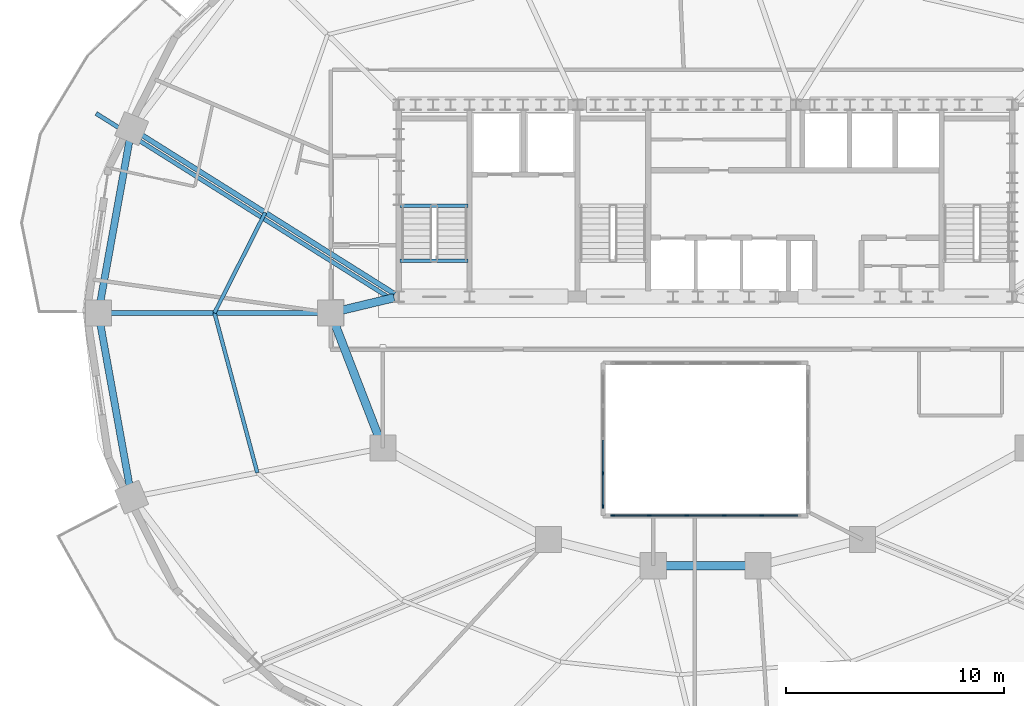
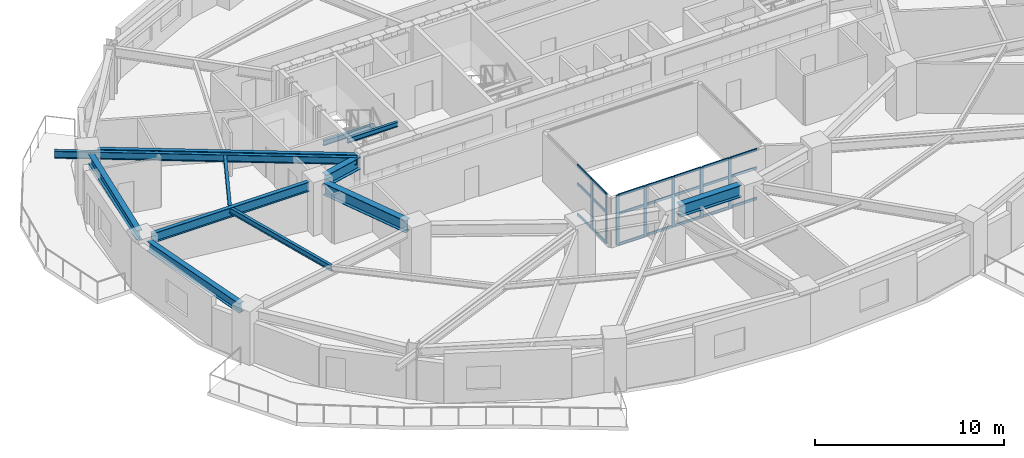
# One storey, part 2 of 13: 28 members, 12 beams, 2 elements without a shape of their own.
"""IFC4 building model written with IfcOpenShell, lengths in metres."""

from ifc_helpers import new_model, si_unit, direction, frame, origin, origin_2d, place, context, subcontext, project, spatial, rectangle, i_section, extrude, material, material_profile, profile_set, type_object, element, aggregate, save


model = new_model("IFC4")

# Units and contexts
model_context = context("Model", 3, precision=1e-05, world=origin(), true_north=direction((0.0, 1.0)))
body_context = subcontext(model_context, "Body", "Model", "MODEL_VIEW")
ifc_project = project(units=[si_unit("LENGTHUNIT", "METRE"), si_unit("AREAUNIT", "SQUARE_METRE"), si_unit("VOLUMEUNIT", "CUBIC_METRE"), si_unit("PLANEANGLEUNIT", "RADIAN"), si_unit("MASSUNIT", "GRAM", prefix="KILO")], contexts=[model_context])

# Site, building, storey
site_placement = place(None, origin())
site = spatial("IfcSite", under=ifc_project, at=site_placement, CompositionType="ELEMENT")
building_placement = place(site_placement, origin())
building = spatial("IfcBuilding", under=site, at=building_placement, Name="Haldorwick Loom Tower", CompositionType="ELEMENT")
storey_placement = place(building_placement, frame((0.0, 0.0, 124.25)))
storey = spatial("IfcBuildingStorey", under=building, at=storey_placement, Name="L33", CompositionType="ELEMENT", Elevation=124.25)

# Curtain wall, members
ifc_material_1 = material(Name="Thermally Broken Anodized Aluminium Curtain Wall Framing", Category="aluminium")
curtain_wall_type = type_object("IfcCurtainWallType", Name="ARC-CW-03", PredefinedType="NOTDEFINED", material=ifc_material_1)
curtain_wall_1_placement = place(storey_placement, origin())
curtain_wall_1 = element("IfcCurtainWall", 1, at=curtain_wall_1_placement, inside=storey, type_object=curtain_wall_type, Name="L33 Atrium Glazed Screen S", PredefinedType="NOTDEFINED")
ifc_material_profile_1 = material_profile(ifc_material_1, rectangle(XDim=0.06591796875, YDim=0.18505859375, at=origin_2d()), Name="ALU_MUL_66X185", Category="aluminium")
ifc_profile_set_1 = profile_set([ifc_material_profile_1], Name="Thermally Broken Anodized Aluminium Curtain Wall Framing")
member_type_1 = type_object("IfcMemberType", Name="ARC-CWM-03", PredefinedType="MULLION", material=ifc_profile_set_1)
member_1_placement = place(storey_placement, frame((38.580078125, 16.699951171875, 0.0), z_axis=(0.0, 0.0, 1.0), x_axis=(0.0, -1.0, 0.0)))
member_1 = element("IfcMember", 2, at=member_1_placement, type_object=member_type_1, Name="CW-03 mullion 2", PredefinedType="MULLION", context=body_context, shape_type="SweptSolid", body=[
    extrude(rectangle(XDim=0.06591796875, YDim=0.18505859375, at=origin_2d()), origin(), (0.0, 0.0, 1.0), 3.2099609375),
])
member_2_placement = place(storey_placement, frame((36.860107421875, 16.699951171875, 0.0), z_axis=(0.0, 0.0, 1.0), x_axis=(0.0, -1.0, 0.0)))
member_2 = element("IfcMember", 3, at=member_2_placement, type_object=member_type_1, Name="CW-03 mullion 3", PredefinedType="MULLION", context=body_context, shape_type="SweptSolid", body=[
    extrude(rectangle(XDim=0.06591796875, YDim=0.18505859375, at=origin_2d()), origin(), (0.0, 0.0, 1.0), 3.2099609375),
])
member_3_placement = place(storey_placement, frame((35.139892578125, 16.699951171875, 0.0), z_axis=(0.0, 0.0, 1.0), x_axis=(0.0, -1.0, 0.0)))
member_3 = element("IfcMember", 4, at=member_3_placement, type_object=member_type_1, Name="CW-03 mullion 4", PredefinedType="MULLION", context=body_context, shape_type="SweptSolid", body=[
    extrude(rectangle(XDim=0.06591796875, YDim=0.18505859375, at=origin_2d()), origin(), (0.0, 0.0, 1.0), 3.2099609375),
])
member_4_placement = place(storey_placement, frame((33.419921875, 16.699951171875, 0.0), z_axis=(0.0, 0.0, 1.0), x_axis=(0.0, -1.0, 0.0)))
member_4 = element("IfcMember", 5, at=member_4_placement, type_object=member_type_1, Name="CW-03 mullion 5", PredefinedType="MULLION", context=body_context, shape_type="SweptSolid", body=[
    extrude(rectangle(XDim=0.06591796875, YDim=0.18505859375, at=origin_2d()), origin(), (0.0, 0.0, 1.0), 3.2099609375),
])
member_5_placement = place(storey_placement, frame((31.73291015625, 16.699951171875, 0.0), z_axis=(0.0, 0.0, 1.0), x_axis=(0.0, -1.0, 0.0)))
member_5 = element("IfcMember", 6, at=member_5_placement, type_object=member_type_1, Name="CW-03 mullion 6", PredefinedType="MULLION", context=body_context, shape_type="SweptSolid", body=[
    extrude(rectangle(XDim=0.06591796875, YDim=0.18505859375, at=origin_2d()), origin(), (0.0, 0.0, 1.0), 3.2099609375),
])

curtain_wall_2_placement = place(storey_placement, origin())
curtain_wall_2 = element("IfcCurtainWall", 7, at=curtain_wall_2_placement, inside=storey, type_object=curtain_wall_type, Name="L33 Atrium Glazed Screen W", PredefinedType="NOTDEFINED")
member_6_placement = place(storey_placement, frame((31.300048828125, 17.133056640625, 0.0), z_axis=(0.0, 0.0, 1.0), x_axis=(-1.0, 0.0, 0.0)))
member_6 = element("IfcMember", 8, at=member_6_placement, type_object=member_type_1, Name="CW-03 mullion 1", PredefinedType="MULLION", context=body_context, shape_type="SweptSolid", body=[
    extrude(rectangle(XDim=0.06591796875, YDim=0.18505859375, at=origin_2d()), origin(), (0.0, 0.0, 1.0), 3.2099609375),
])
member_7_placement = place(storey_placement, frame((31.300048828125, 18.64990234375, 0.0), z_axis=(0.0, 0.0, 1.0), x_axis=(-1.0, 0.0, 0.0)))
member_7 = element("IfcMember", 9, at=member_7_placement, type_object=member_type_1, Name="CW-03 mullion 2", PredefinedType="MULLION", context=body_context, shape_type="SweptSolid", body=[
    extrude(rectangle(XDim=0.06591796875, YDim=0.18505859375, at=origin_2d()), origin(), (0.0, 0.0, 1.0), 3.2099609375),
])

# Member
ifc_material_profile_2 = material_profile(ifc_material_1, rectangle(XDim=0.06591796875, YDim=0.1650390625, at=origin_2d()), Name="ALU_TRN_66X165", Category="aluminium")
ifc_profile_set_2 = profile_set([ifc_material_profile_2], Name="Thermally Broken Anodized Aluminium Curtain Wall Framing")
member_type_2 = type_object("IfcMemberType", Name="ARC-CWT-03", PredefinedType="USERDEFINED", material=ifc_profile_set_2)
member_8_placement = place(storey_placement, frame((40.23388671875, 16.699951171875, 0.032958984375), z_axis=(-1.0, 0.0, 0.0), x_axis=(0.0, -1.0, 0.0)))
member_8 = element("IfcMember", 10, at=member_8_placement, type_object=member_type_2, Name="CW-03 transom 1.1", ObjectType="TRANSOM", PredefinedType="USERDEFINED", context=body_context, shape_type="SweptSolid", body=[
    extrude(rectangle(XDim=0.06591796875, YDim=0.1650390625, at=origin_2d()), origin(), (0.0, 0.0, 1.0), 1.620849609375),
])

member_9_placement = place(storey_placement, frame((40.23388671875, 16.699951171875, 2.0), z_axis=(-1.0, 0.0, 0.0), x_axis=(0.0, -1.0, 0.0)))
member_9 = element("IfcMember", 11, at=member_9_placement, type_object=member_type_2, Name="CW-03 transom 1.2", ObjectType="TRANSOM", PredefinedType="USERDEFINED", context=body_context, shape_type="SweptSolid", body=[
    extrude(rectangle(XDim=0.06591796875, YDim=0.1650390625, at=origin_2d()), origin(), (0.0, 0.0, 1.0), 1.620849609375),
])

member_10_placement = place(storey_placement, frame((40.23388671875, 16.699951171875, 3.177001953125), z_axis=(-1.0, 0.0, 0.0), x_axis=(0.0, -1.0, 0.0)))
member_10 = element("IfcMember", 12, at=member_10_placement, type_object=member_type_2, Name="CW-03 transom 1.3", ObjectType="TRANSOM", PredefinedType="USERDEFINED", context=body_context, shape_type="SweptSolid", body=[
    extrude(rectangle(XDim=0.06591796875, YDim=0.1650390625, at=origin_2d()), origin(), (0.0, 0.0, 1.0), 1.620849609375),
])

member_11_placement = place(storey_placement, frame((38.547119140625, 16.699951171875, 0.032958984375), z_axis=(-1.0, 0.0, 0.0), x_axis=(0.0, -1.0, 0.0)))
member_11 = element("IfcMember", 13, at=member_11_placement, type_object=member_type_2, Name="CW-03 transom 2.1", ObjectType="TRANSOM", PredefinedType="USERDEFINED", context=body_context, shape_type="SweptSolid", body=[
    extrude(rectangle(XDim=0.06591796875, YDim=0.1650390625, at=origin_2d()), origin(), (0.0, 0.0, 1.0), 1.654052734375),
])

member_12_placement = place(storey_placement, frame((38.547119140625, 16.699951171875, 2.0), z_axis=(-1.0, 0.0, 0.0), x_axis=(0.0, -1.0, 0.0)))
member_12 = element("IfcMember", 14, at=member_12_placement, type_object=member_type_2, Name="CW-03 transom 2.2", ObjectType="TRANSOM", PredefinedType="USERDEFINED", context=body_context, shape_type="SweptSolid", body=[
    extrude(rectangle(XDim=0.06591796875, YDim=0.1650390625, at=origin_2d()), origin(), (0.0, 0.0, 1.0), 1.654052734375),
])

member_13_placement = place(storey_placement, frame((38.547119140625, 16.699951171875, 3.177001953125), z_axis=(-1.0, 0.0, 0.0), x_axis=(0.0, -1.0, 0.0)))
member_13 = element("IfcMember", 15, at=member_13_placement, type_object=member_type_2, Name="CW-03 transom 2.3", ObjectType="TRANSOM", PredefinedType="USERDEFINED", context=body_context, shape_type="SweptSolid", body=[
    extrude(rectangle(XDim=0.06591796875, YDim=0.1650390625, at=origin_2d()), origin(), (0.0, 0.0, 1.0), 1.654052734375),
])

member_14_placement = place(storey_placement, frame((36.826904296875, 16.699951171875, 0.032958984375), z_axis=(-1.0, 0.0, 0.0), x_axis=(0.0, -1.0, 0.0)))
member_14 = element("IfcMember", 16, at=member_14_placement, type_object=member_type_2, Name="CW-03 transom 3.1", ObjectType="TRANSOM", PredefinedType="USERDEFINED", context=body_context, shape_type="SweptSolid", body=[
    extrude(rectangle(XDim=0.06591796875, YDim=0.1650390625, at=origin_2d()), origin(), (0.0, 0.0, 1.0), 1.65380859375),
])

member_15_placement = place(storey_placement, frame((36.826904296875, 16.699951171875, 2.0), z_axis=(-1.0, 0.0, 0.0), x_axis=(0.0, -1.0, 0.0)))
member_15 = element("IfcMember", 17, at=member_15_placement, type_object=member_type_2, Name="CW-03 transom 3.2", ObjectType="TRANSOM", PredefinedType="USERDEFINED", context=body_context, shape_type="SweptSolid", body=[
    extrude(rectangle(XDim=0.06591796875, YDim=0.1650390625, at=origin_2d()), origin(), (0.0, 0.0, 1.0), 1.65380859375),
])

member_16_placement = place(storey_placement, frame((36.826904296875, 16.699951171875, 3.177001953125), z_axis=(-1.0, 0.0, 0.0), x_axis=(0.0, -1.0, 0.0)))
member_16 = element("IfcMember", 18, at=member_16_placement, type_object=member_type_2, Name="CW-03 transom 3.3", ObjectType="TRANSOM", PredefinedType="USERDEFINED", context=body_context, shape_type="SweptSolid", body=[
    extrude(rectangle(XDim=0.06591796875, YDim=0.1650390625, at=origin_2d()), origin(), (0.0, 0.0, 1.0), 1.65380859375),
])

member_17_placement = place(storey_placement, frame((35.10693359375, 16.699951171875, 0.032958984375), z_axis=(-1.0, 0.0, 0.0), x_axis=(0.0, -1.0, 0.0)))
member_17 = element("IfcMember", 19, at=member_17_placement, type_object=member_type_2, Name="CW-03 transom 4.1", ObjectType="TRANSOM", PredefinedType="USERDEFINED", context=body_context, shape_type="SweptSolid", body=[
    extrude(rectangle(XDim=0.06591796875, YDim=0.1650390625, at=origin_2d()), origin(), (0.0, 0.0, 1.0), 1.654052734375),
])

member_18_placement = place(storey_placement, frame((35.10693359375, 16.699951171875, 2.0), z_axis=(-1.0, 0.0, 0.0), x_axis=(0.0, -1.0, 0.0)))
member_18 = element("IfcMember", 20, at=member_18_placement, type_object=member_type_2, Name="CW-03 transom 4.2", ObjectType="TRANSOM", PredefinedType="USERDEFINED", context=body_context, shape_type="SweptSolid", body=[
    extrude(rectangle(XDim=0.06591796875, YDim=0.1650390625, at=origin_2d()), origin(), (0.0, 0.0, 1.0), 1.654052734375),
])

member_19_placement = place(storey_placement, frame((35.10693359375, 16.699951171875, 3.177001953125), z_axis=(-1.0, 0.0, 0.0), x_axis=(0.0, -1.0, 0.0)))
member_19 = element("IfcMember", 21, at=member_19_placement, type_object=member_type_2, Name="CW-03 transom 4.3", ObjectType="TRANSOM", PredefinedType="USERDEFINED", context=body_context, shape_type="SweptSolid", body=[
    extrude(rectangle(XDim=0.06591796875, YDim=0.1650390625, at=origin_2d()), origin(), (0.0, 0.0, 1.0), 1.654052734375),
])

member_20_placement = place(storey_placement, frame((33.386962890625, 16.699951171875, 0.032958984375), z_axis=(-1.0, 0.0, 0.0), x_axis=(0.0, -1.0, 0.0)))
member_20 = element("IfcMember", 22, at=member_20_placement, type_object=member_type_2, Name="CW-03 transom 5.1", ObjectType="TRANSOM", PredefinedType="USERDEFINED", context=body_context, shape_type="SweptSolid", body=[
    extrude(rectangle(XDim=0.06591796875, YDim=0.1650390625, at=origin_2d()), origin(), (0.0, 0.0, 1.0), 1.620849609375),
])

member_21_placement = place(storey_placement, frame((33.386962890625, 16.699951171875, 2.0), z_axis=(-1.0, 0.0, 0.0), x_axis=(0.0, -1.0, 0.0)))
member_21 = element("IfcMember", 23, at=member_21_placement, type_object=member_type_2, Name="CW-03 transom 5.2", ObjectType="TRANSOM", PredefinedType="USERDEFINED", context=body_context, shape_type="SweptSolid", body=[
    extrude(rectangle(XDim=0.06591796875, YDim=0.1650390625, at=origin_2d()), origin(), (0.0, 0.0, 1.0), 1.620849609375),
])

member_22_placement = place(storey_placement, frame((33.386962890625, 16.699951171875, 3.177001953125), z_axis=(-1.0, 0.0, 0.0), x_axis=(0.0, -1.0, 0.0)))
member_22 = element("IfcMember", 24, at=member_22_placement, type_object=member_type_2, Name="CW-03 transom 5.3", ObjectType="TRANSOM", PredefinedType="USERDEFINED", context=body_context, shape_type="SweptSolid", body=[
    extrude(rectangle(XDim=0.06591796875, YDim=0.1650390625, at=origin_2d()), origin(), (0.0, 0.0, 1.0), 1.620849609375),
])

aggregate(curtain_wall_1, [member_1, member_2, member_3, member_4, member_5, member_8, member_9, member_10, member_11, member_12, member_13, member_14, member_15, member_16, member_17, member_18, member_19, member_20, member_21, member_22])

member_23_placement = place(storey_placement, frame((31.300048828125, 17.166015625, 0.032958984375), z_axis=(0.0, 1.0, 0.0), x_axis=(-1.0, 0.0, 0.0)))
member_23 = element("IfcMember", 25, at=member_23_placement, type_object=member_type_2, Name="CW-03 transom 1.1", ObjectType="TRANSOM", PredefinedType="USERDEFINED", context=body_context, shape_type="SweptSolid", body=[
    extrude(rectangle(XDim=0.06591796875, YDim=0.1650390625, at=origin_2d()), origin(), (0.0, 0.0, 1.0), 1.450927734375),
])

member_24_placement = place(storey_placement, frame((31.300048828125, 17.166015625, 2.0), z_axis=(0.0, 1.0, 0.0), x_axis=(-1.0, 0.0, 0.0)))
member_24 = element("IfcMember", 26, at=member_24_placement, type_object=member_type_2, Name="CW-03 transom 1.2", ObjectType="TRANSOM", PredefinedType="USERDEFINED", context=body_context, shape_type="SweptSolid", body=[
    extrude(rectangle(XDim=0.06591796875, YDim=0.1650390625, at=origin_2d()), origin(), (0.0, 0.0, 1.0), 1.450927734375),
])

member_25_placement = place(storey_placement, frame((31.300048828125, 17.166015625, 3.177001953125), z_axis=(0.0, 1.0, 0.0), x_axis=(-1.0, 0.0, 0.0)))
member_25 = element("IfcMember", 27, at=member_25_placement, type_object=member_type_2, Name="CW-03 transom 1.3", ObjectType="TRANSOM", PredefinedType="USERDEFINED", context=body_context, shape_type="SweptSolid", body=[
    extrude(rectangle(XDim=0.06591796875, YDim=0.1650390625, at=origin_2d()), origin(), (0.0, 0.0, 1.0), 1.450927734375),
])

member_26_placement = place(storey_placement, frame((31.300048828125, 18.68310546875, 0.032958984375), z_axis=(0.0, 1.0, 0.0), x_axis=(-1.0, 0.0, 0.0)))
member_26 = element("IfcMember", 28, at=member_26_placement, type_object=member_type_2, Name="CW-03 transom 2.1", ObjectType="TRANSOM", PredefinedType="USERDEFINED", context=body_context, shape_type="SweptSolid", body=[
    extrude(rectangle(XDim=0.06591796875, YDim=0.1650390625, at=origin_2d()), origin(), (0.0, 0.0, 1.0), 1.48388671875),
])

member_27_placement = place(storey_placement, frame((31.300048828125, 18.68310546875, 2.0), z_axis=(0.0, 1.0, 0.0), x_axis=(-1.0, 0.0, 0.0)))
member_27 = element("IfcMember", 29, at=member_27_placement, type_object=member_type_2, Name="CW-03 transom 2.2", ObjectType="TRANSOM", PredefinedType="USERDEFINED", context=body_context, shape_type="SweptSolid", body=[
    extrude(rectangle(XDim=0.06591796875, YDim=0.1650390625, at=origin_2d()), origin(), (0.0, 0.0, 1.0), 1.48388671875),
])

member_28_placement = place(storey_placement, frame((31.300048828125, 18.68310546875, 3.177001953125), z_axis=(0.0, 1.0, 0.0), x_axis=(-1.0, 0.0, 0.0)))
member_28 = element("IfcMember", 30, at=member_28_placement, type_object=member_type_2, Name="CW-03 transom 2.3", ObjectType="TRANSOM", PredefinedType="USERDEFINED", context=body_context, shape_type="SweptSolid", body=[
    extrude(rectangle(XDim=0.06591796875, YDim=0.1650390625, at=origin_2d()), origin(), (0.0, 0.0, 1.0), 1.48388671875),
])

aggregate(curtain_wall_2, [member_6, member_7, member_23, member_24, member_25, member_26, member_27, member_28])

# Beams
ifc_material_2 = material(Name="Steel CSA G40.21 350W", Category="steel")
ifc_material_profile_3 = material_profile(ifc_material_2, i_section(OverallWidth=0.193115234375, OverallDepth=0.466064453125, WebThickness=0.011474609375, FlangeThickness=0.01904296875, at=origin_2d()), Name="W460X97", Category="steel")
ifc_profile_set_3 = profile_set([ifc_material_profile_3], Name="Steel CSA G40.21 350W")
beam_type_1 = type_object("IfcBeamType", Name="STR-BM-BAL460", PredefinedType="BEAM", material=ifc_profile_set_3)
beam_1_placement = place(storey_placement, frame((21.590576171875, 26.6328125, 2.97705078125), z_axis=(-0.846621037802, 0.532196221662, 0.0), x_axis=(-0.532196221662, -0.846621037802, 0.0)))
element("IfcBeam", 31, at=beam_1_placement, inside=storey, type_object=beam_type_1, Name="L33 Continuous Back-Spanned Balcony Beam 3", PredefinedType="BEAM", context=body_context, shape_type="SweptSolid", body=[
    extrude(i_section(OverallWidth=0.193115234375, OverallDepth=0.466064453125, WebThickness=0.011474609375, FlangeThickness=0.01904296875, at=origin_2d()), origin(), (0.0, 0.0, 1.0), 16.0068359375),
])
ifc_material_profile_4 = material_profile(ifc_material_2, i_section(OverallWidth=0.172119140625, OverallDepth=0.35791015625, WebThickness=0.0078125, FlangeThickness=0.01318359375, at=origin_2d()), Name="W360X57", Category="steel")
ifc_profile_set_4 = profile_set([ifc_material_profile_4], Name="Steel CSA G40.21 350W")
beam_type_2 = type_object("IfcBeamType", Name="STR-BM-J360", PredefinedType="JOIST", material=ifc_profile_set_4)
beam_2_placement = place(storey_placement, frame((15.7998046875, 30.603515625, 3.031005859375), z_axis=(-0.451373231558, -0.892335254169, 0.0), x_axis=(0.892335254169, -0.451373231558, 0.0)))
element("IfcBeam", 32, at=beam_2_placement, inside=storey, type_object=beam_type_2, Name="L33 Mid-Bay Secondary Joist 8", PredefinedType="JOIST", context=body_context, shape_type="SweptSolid", body=[
    extrude(i_section(OverallWidth=0.172119140625, OverallDepth=0.35791015625, WebThickness=0.0078125, FlangeThickness=0.01318359375, at=origin_2d()), origin(), (0.0, 0.0, 1.0), 5.158935546875),
])
beam_3_placement = place(storey_placement, frame((13.47119140625, 26.0, 3.031005859375), z_axis=(0.258810072536, -0.965928230436, 0.0), x_axis=(0.965928230436, 0.258810072536, 0.0)))
element("IfcBeam", 33, at=beam_3_placement, inside=storey, type_object=beam_type_2, Name="L33 Mid-Bay Secondary Joist 9", PredefinedType="JOIST", context=body_context, shape_type="SweptSolid", body=[
    extrude(i_section(OverallWidth=0.172119140625, OverallDepth=0.35791015625, WebThickness=0.0078125, FlangeThickness=0.01318359375, at=origin_2d()), origin(), (0.0, 0.0, 1.0), 7.587158203125),
])
ifc_material_profile_5 = material_profile(ifc_material_2, i_section(OverallWidth=0.324951171875, OverallDepth=0.615966796875, WebThickness=0.013916015625, FlangeThickness=0.021484375, at=origin_2d()), Name="W610X174", Category="steel")
ifc_profile_set_5 = profile_set([ifc_material_profile_5], Name="Steel CSA G40.21 350W")
beam_type_3 = type_object("IfcBeamType", Name="STR-BM-SP610", PredefinedType="SPANDREL", material=ifc_profile_set_5)
for number, where, z_axis, x_axis, name in (
    (34, (9.576904296875, 33.945556640625, 2.902099609375), (-0.177659490888, -0.984092020747, 0.0), (0.984092020747, -0.177659490888, 0.0), "L33 Perimeter Spandrel 8"),
    (35, (8.23486328125, 25.48828125, 2.902099609375), (0.177659490888, -0.984092020747, 0.0), (0.984092020747, 0.177659490888, 0.0), "L33 Perimeter Spandrel 9"),
):
    element("IfcBeam", number, at=place(storey_placement, frame(where, z_axis=z_axis, x_axis=x_axis)), inside=storey, type_object=beam_type_3, Name=name, PredefinedType="SPANDREL", context=body_context, shape_type="SweptSolid", body=[
        extrude(i_section(OverallWidth=0.324951171875, OverallDepth=0.615966796875, WebThickness=0.013916015625, FlangeThickness=0.021484375, at=origin_2d()), origin(), (0.0, 0.0, 1.0), 7.553955078125),
    ])
ifc_material_profile_6 = material_profile(ifc_material_2, i_section(OverallWidth=0.166015625, OverallDepth=0.31298828125, WebThickness=0.006591796875, FlangeThickness=0.01123046875, at=origin_2d()), Name="W310X45", Category="steel")
ifc_profile_set_6 = profile_set([ifc_material_profile_6], Name="Steel CSA G40.21 350W")
beam_type_4 = type_object("IfcBeamType", Name="STR-BM-STRM", PredefinedType="BEAM", material=ifc_profile_set_6)
for number, where, z_axis, x_axis, name in (
    (36, (21.989990234375, 28.39990234375, 3.053466796875), (1.0, 0.0, 0.0), (0.0, 1.0, 0.0), "L33 Stair ST-01 Landing Edge Trimmer"),
    (37, (21.989990234375, 30.919921875, 1.368408203125), (1.0, 0.0, 0.0), (0.0, 1.0, 0.0), "L33 Stair ST-01 Half-Landing Trimmer 1"),
):
    element("IfcBeam", number, at=place(storey_placement, frame(where, z_axis=z_axis, x_axis=x_axis)), inside=storey, type_object=beam_type_4, Name=name, PredefinedType="BEAM", context=body_context, shape_type="SweptSolid", body=[
        extrude(i_section(OverallWidth=0.166015625, OverallDepth=0.31298828125, WebThickness=0.006591796875, FlangeThickness=0.01123046875, at=origin_2d()), origin(), (0.0, 0.0, 1.0), 3.1201171875),
    ])
ifc_material_profile_7 = material_profile(ifc_material_2, i_section(OverallWidth=0.22998046875, OverallDepth=0.616943359375, WebThickness=0.01318359375, FlangeThickness=0.022216796875, at=origin_2d()), Name="W610X140", Category="steel")
ifc_profile_set_7 = profile_set([ifc_material_profile_7], Name="Steel CSA G40.21 350W")
beam_type_5 = type_object("IfcBeamType", Name="STR-BM-W610B", PredefinedType="BEAM", material=ifc_profile_set_7)
beam_4_placement = place(storey_placement, frame((21.739501953125, 26.86962890625, 2.901611328125), z_axis=(-0.846609551433, 0.532214493811, 0.0), x_axis=(-0.532214493811, -0.846609551433, 0.0)))
element("IfcBeam", 38, at=beam_4_placement, inside=storey, type_object=beam_type_5, Name="L33 Radial Floor Girder 8", PredefinedType="BEAM", context=body_context, shape_type="SweptSolid", body=[
    extrude(i_section(OverallWidth=0.22998046875, OverallDepth=0.616943359375, WebThickness=0.01318359375, FlangeThickness=0.022216796875, at=origin_2d()), origin(), (0.0, 0.0, 1.0), 13.737060546875),
])
beam_5_placement = place(storey_placement, frame((18.280029296875, 26.0, 2.901611328125), z_axis=(-1.0, 0.0, 0.0), x_axis=(0.0, -1.0, 0.0)))
element("IfcBeam", 39, at=beam_5_placement, inside=storey, type_object=beam_type_5, Name="L33 Radial Floor Girder 9", PredefinedType="BEAM", context=body_context, shape_type="SweptSolid", body=[
    extrude(i_section(OverallWidth=0.22998046875, OverallDepth=0.616943359375, WebThickness=0.01318359375, FlangeThickness=0.022216796875, at=origin_2d()), origin(), (0.0, 0.0, 1.0), 9.61767578125),
])
ifc_material_profile_8 = material_profile(ifc_material_2, i_section(OverallWidth=0.381103515625, OverallDepth=0.77294921875, WebThickness=0.0166015625, FlangeThickness=0.027587890625, at=origin_2d()), Name="W760X257", Category="steel")
ifc_profile_set_8 = profile_set([ifc_material_profile_8], Name="Steel CSA G40.21 350W")
beam_type_6 = type_object("IfcBeamType", Name="STR-BM-W760", PredefinedType="BEAM", material=ifc_profile_set_8)
beam_6_placement = place(storey_placement, frame((37.8798828125, 14.39990234375, 2.823486328125), z_axis=(-1.0, 0.0, 0.0), x_axis=(0.0, -1.0, 0.0)))
element("IfcBeam", 40, at=beam_6_placement, inside=storey, type_object=beam_type_6, Name="L33 Inner Ring Girder 5", PredefinedType="BEAM", context=body_context, shape_type="SweptSolid", body=[
    extrude(i_section(OverallWidth=0.381103515625, OverallDepth=0.77294921875, WebThickness=0.0166015625, FlangeThickness=0.027587890625, at=origin_2d()), origin(), (0.0, 0.0, 1.0), 3.759765625),
])
beam_7_placement = place(storey_placement, frame((21.01220703125, 20.284912109375, 2.823486328125), z_axis=(-0.360964792353, 0.93257944363, 0.0), x_axis=(-0.93257944363, -0.360964792353, 0.0)))
element("IfcBeam", 41, at=beam_7_placement, inside=storey, type_object=beam_type_6, Name="L33 Inner Ring Girder 8", PredefinedType="BEAM", context=body_context, shape_type="SweptSolid", body=[
    extrude(i_section(OverallWidth=0.381103515625, OverallDepth=0.77294921875, WebThickness=0.0166015625, FlangeThickness=0.027587890625, at=origin_2d()), origin(), (0.0, 0.0, 1.0), 5.6083984375),
])
beam_8_placement = place(storey_placement, frame((19.3056640625, 26.12109375, 2.823486328125), z_axis=(0.97247055837, 0.233025777764, 0.0), x_axis=(-0.233025777764, 0.97247055837, 0.0)))
element("IfcBeam", 42, at=beam_8_placement, inside=storey, type_object=beam_type_6, Name="L33 Inner Ring Girder 9", PredefinedType="BEAM", context=body_context, shape_type="SweptSolid", body=[
    extrude(i_section(OverallWidth=0.381103515625, OverallDepth=0.77294921875, WebThickness=0.0166015625, FlangeThickness=0.027587890625, at=origin_2d()), origin(), (0.0, 0.0, 1.0), 2.4736328125),
])

save(model, "model.ifc")
